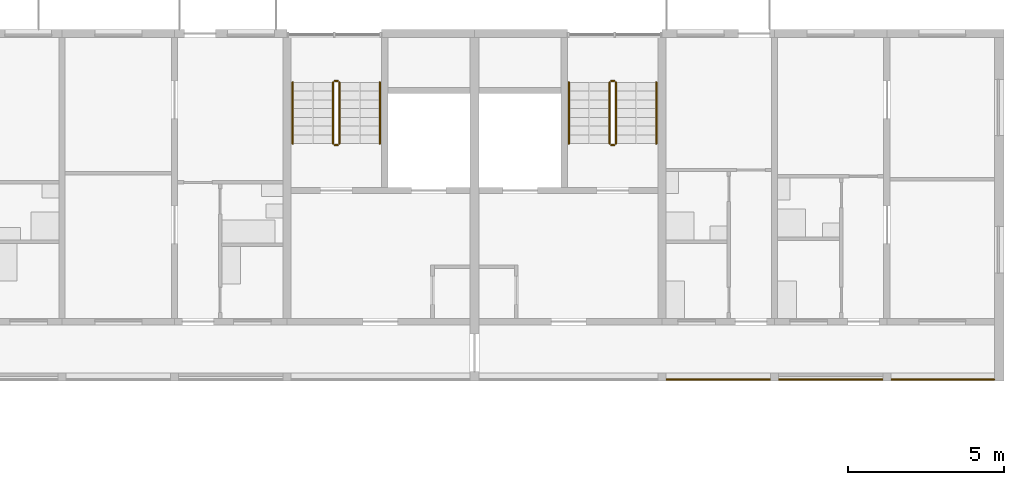
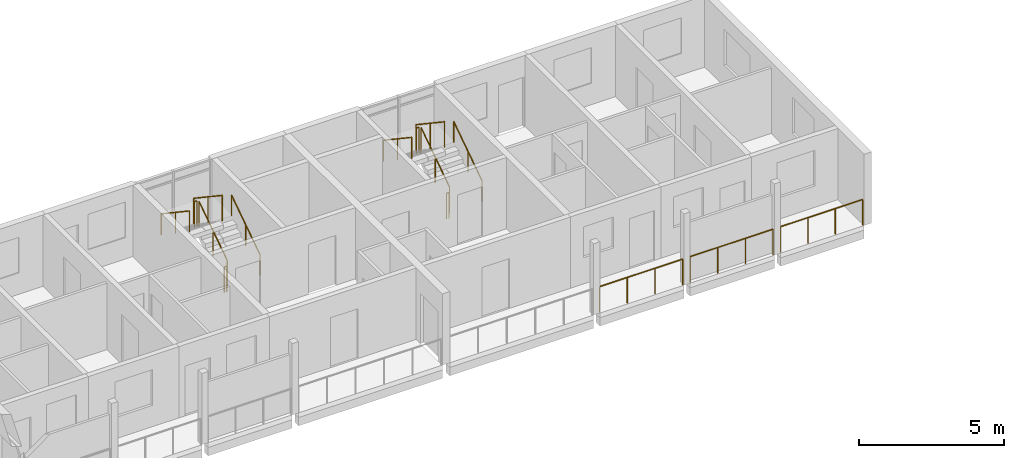
# One storey, part 89 of 93: 15 railings.
"""IFC4 building model written with IfcOpenShell, lengths in metres."""

from ifc_helpers import new_model, si_unit, direction, frame, origin, origin_2d, place, context, subcontext, project, spatial, circle, extrude, material, type_object, element, save


model = new_model("IFC4")

# Units and contexts
model_context = context("Model", 3, precision=1e-05, world=origin(), true_north=direction((0.0, 1.0)))
body_context = subcontext(model_context, "Body", "Model", "MODEL_VIEW")
ifc_project = project(units=[si_unit("LENGTHUNIT", "METRE"), si_unit("AREAUNIT", "SQUARE_METRE"), si_unit("VOLUMEUNIT", "CUBIC_METRE"), si_unit("PLANEANGLEUNIT", "RADIAN"), si_unit("MASSUNIT", "GRAM", prefix="KILO")], contexts=[model_context])

# Site, building, storey
site_placement = place(None, origin())
site = spatial("IfcSite", under=ifc_project, at=site_placement, CompositionType="ELEMENT")
building_placement = place(site_placement, origin())
building = spatial("IfcBuilding", under=site, at=building_placement, Name="Ridgestep Commons", CompositionType="ELEMENT")
storey_placement = place(building_placement, frame((0.0, 0.0, 18.0)))
storey = spatial("IfcBuildingStorey", under=building, at=storey_placement, Name="L06", CompositionType="ELEMENT", Elevation=18.0)

# Railings
ifc_material_1 = material(Name="Structural steel S355JR", Category="steel")
railing_type_1 = type_object("IfcRailingType", Name="Guard 1100", PredefinedType="GUARDRAIL", material=ifc_material_1)
railing_1_placement = place(storey_placement, frame((236.946044921875, 66.050048828125, 0.0)))
element("IfcRailing", 1, at=railing_1_placement, inside=storey, type_object=railing_type_1, Name="Gallery guard C 06.22", PredefinedType="GUARDRAIL", context=body_context, shape_type="SweptSolid", body=[
    extrude(circle(Radius=0.02392578125, at=origin_2d()), frame((0.0, 0.0, 1.076171875), z_axis=(1.0, 0.0, 0.0), x_axis=(0.0, 1.0, 0.0)), (0.0, 0.0, 1.0), 3.307861328125),
    extrude(circle(Radius=0.02099609375, at=origin_2d()), origin(), (0.0, 0.0, 1.0), 1.052001953125),
    extrude(circle(Radius=0.02099609375, at=origin_2d()), frame((1.1025390625, 0.0, 0.0)), (0.0, 0.0, 1.0), 1.052001953125),
    extrude(circle(Radius=0.02099609375, at=origin_2d()), frame((2.205322265625, 0.0, 0.0)), (0.0, 0.0, 1.0), 1.052001953125),
    extrude(circle(Radius=0.02099609375, at=origin_2d()), frame((3.307861328125, 0.0, 0.0)), (0.0, 0.0, 1.0), 1.052001953125),
])
railing_2_placement = place(storey_placement, frame((240.5458984375, 66.050048828125, 0.0)))
element("IfcRailing", 2, at=railing_2_placement, inside=storey, type_object=railing_type_1, Name="Gallery guard C 06.23", PredefinedType="GUARDRAIL", context=body_context, shape_type="SweptSolid", body=[
    extrude(circle(Radius=0.02392578125, at=origin_2d()), frame((0.0, 0.0, 1.076171875), z_axis=(1.0, 0.0, 0.0), x_axis=(0.0, 1.0, 0.0)), (0.0, 0.0, 1.0), 3.30810546875),
    extrude(circle(Radius=0.02099609375, at=origin_2d()), origin(), (0.0, 0.0, 1.0), 1.052001953125),
    extrude(circle(Radius=0.02099609375, at=origin_2d()), frame((1.102783203125, 0.0, 0.0)), (0.0, 0.0, 1.0), 1.052001953125),
    extrude(circle(Radius=0.02099609375, at=origin_2d()), frame((2.205322265625, 0.0, 0.0)), (0.0, 0.0, 1.0), 1.052001953125),
    extrude(circle(Radius=0.02099609375, at=origin_2d()), frame((3.30810546875, 0.0, 0.0)), (0.0, 0.0, 1.0), 1.052001953125),
])
railing_3_placement = place(storey_placement, frame((244.14599609375, 66.050048828125, 0.0)))
element("IfcRailing", 3, at=railing_3_placement, inside=storey, type_object=railing_type_1, Name="Gallery guard C 06.24", PredefinedType="GUARDRAIL", context=body_context, shape_type="SweptSolid", body=[
    extrude(circle(Radius=0.02392578125, at=origin_2d()), frame((0.0, 0.0, 1.076171875), z_axis=(1.0, 0.0, 0.0), x_axis=(0.0, 1.0, 0.0)), (0.0, 0.0, 1.0), 3.282958984375),
    extrude(circle(Radius=0.02099609375, at=origin_2d()), origin(), (0.0, 0.0, 1.0), 1.052001953125),
    extrude(circle(Radius=0.02099609375, at=origin_2d()), frame((1.09423828125, 0.0, 0.0)), (0.0, 0.0, 1.0), 1.052001953125),
    extrude(circle(Radius=0.02099609375, at=origin_2d()), frame((2.188720703125, 0.0, 0.0)), (0.0, 0.0, 1.0), 1.052001953125),
    extrude(circle(Radius=0.02099609375, at=origin_2d()), frame((3.282958984375, 0.0, 0.0)), (0.0, 0.0, 1.0), 1.052001953125),
])
ifc_material_2 = material(Name="Structural steel S355JR", Category="steel")
railing_type_2 = type_object("IfcRailingType", Name="Stair guard 1100", PredefinedType="GUARDRAIL", material=ifc_material_2)
railing_4_placement = place(storey_placement, frame((226.47509765625, 73.60009765625, 0.1875)))
element("IfcRailing", 4, at=railing_4_placement, inside=storey, type_object=railing_type_2, Name="L06 C5C stair guard 1", PredefinedType="GUARDRAIL", context=body_context, shape_type="SweptSolid", body=[
    extrude(circle(Radius=0.02392578125, at=origin_2d()), frame((0.0, 0.0, 1.076171875), z_axis=(0.0, 0.830902050051, 0.556418712142), x_axis=(-1.0, 0.0, 0.0)), (0.0, 0.0, 1.0), 2.35888671875),
    extrude(circle(Radius=0.02099609375, at=origin_2d()), origin(), (0.0, 0.0, 1.0), 1.052001953125),
    extrude(circle(Radius=0.02099609375, at=origin_2d()), frame((0.0, 0.97998046875, 0.65625)), (0.0, 0.0, 1.0), 1.052001953125),
    extrude(circle(Radius=0.02099609375, at=origin_2d()), frame((0.0, 1.9599609375, 1.3125)), (0.0, 0.0, 1.0), 1.052001953125),
])
railing_5_placement = place(storey_placement, frame((226.425048828125, 75.610107421875, 1.5)))
element("IfcRailing", 5, at=railing_5_placement, inside=storey, type_object=railing_type_2, Name="L06 C5C stair guard 2", PredefinedType="GUARDRAIL", context=body_context, shape_type="SweptSolid", body=[
    extrude(circle(Radius=0.02392578125, at=origin_2d()), frame((0.0, 0.0, 1.076171875), z_axis=(-1.0, 0.0, 0.0), x_axis=(0.0, -1.0, 0.0)), (0.0, 0.0, 1.0), 0.10009765625),
    extrude(circle(Radius=0.02099609375, at=origin_2d()), origin(), (0.0, 0.0, 1.0), 1.052001953125),
    extrude(circle(Radius=0.02099609375, at=origin_2d()), frame((-0.10009765625, 0.0, 0.0)), (0.0, 0.0, 1.0), 1.052001953125),
])
railing_6_placement = place(storey_placement, frame((226.27490234375, 75.56005859375, 1.6875)))
element("IfcRailing", 6, at=railing_6_placement, inside=storey, type_object=railing_type_2, Name="L06 C5C stair guard 3", PredefinedType="GUARDRAIL", context=body_context, shape_type="SweptSolid", body=[
    extrude(circle(Radius=0.02392578125, at=origin_2d()), frame((0.0, 0.0, 1.076171875), z_axis=(0.0, -0.830902050051, 0.556418712142), x_axis=(1.0, 0.0, 0.0)), (0.0, 0.0, 1.0), 2.35888671875),
    extrude(circle(Radius=0.02099609375, at=origin_2d()), origin(), (0.0, 0.0, 1.0), 1.052001953125),
    extrude(circle(Radius=0.02099609375, at=origin_2d()), frame((0.0, -0.97998046875, 0.65625)), (0.0, 0.0, 1.0), 1.052001953125),
    extrude(circle(Radius=0.02099609375, at=origin_2d()), frame((0.0, -1.9599609375, 1.3125)), (0.0, 0.0, 1.0), 1.052001953125),
])
railing_7_placement = place(storey_placement, frame((226.425048828125, 73.550048828125, 0.0)))
element("IfcRailing", 7, at=railing_7_placement, inside=storey, type_object=railing_type_2, Name="L06 C5C stair guard 4", PredefinedType="GUARDRAIL", context=body_context, shape_type="SweptSolid", body=[
    extrude(circle(Radius=0.02392578125, at=origin_2d()), frame((0.0, 0.0, 1.076171875), z_axis=(-1.0, 0.0, 0.0), x_axis=(0.0, -1.0, 0.0)), (0.0, 0.0, 1.0), 0.10009765625),
    extrude(circle(Radius=0.02099609375, at=origin_2d()), origin(), (0.0, 0.0, 1.0), 1.052001953125),
    extrude(circle(Radius=0.02099609375, at=origin_2d()), frame((-0.10009765625, 0.0, 0.0)), (0.0, 0.0, 1.0), 1.052001953125),
])
railing_8_placement = place(storey_placement, frame((235.324951171875, 73.60009765625, 0.1875)))
element("IfcRailing", 8, at=railing_8_placement, inside=storey, type_object=railing_type_2, Name="L06 C6C stair guard 1", PredefinedType="GUARDRAIL", context=body_context, shape_type="SweptSolid", body=[
    extrude(circle(Radius=0.02392578125, at=origin_2d()), frame((0.0, 0.0, 1.076171875), z_axis=(0.0, 0.830902050051, 0.556418712142), x_axis=(-1.0, 0.0, 0.0)), (0.0, 0.0, 1.0), 2.35888671875),
    extrude(circle(Radius=0.02099609375, at=origin_2d()), origin(), (0.0, 0.0, 1.0), 1.052001953125),
    extrude(circle(Radius=0.02099609375, at=origin_2d()), frame((0.0, 0.97998046875, 0.65625)), (0.0, 0.0, 1.0), 1.052001953125),
    extrude(circle(Radius=0.02099609375, at=origin_2d()), frame((0.0, 1.9599609375, 1.3125)), (0.0, 0.0, 1.0), 1.052001953125),
])
railing_9_placement = place(storey_placement, frame((235.27490234375, 75.610107421875, 1.5)))
element("IfcRailing", 9, at=railing_9_placement, inside=storey, type_object=railing_type_2, Name="L06 C6C stair guard 2", PredefinedType="GUARDRAIL", context=body_context, shape_type="SweptSolid", body=[
    extrude(circle(Radius=0.02392578125, at=origin_2d()), frame((0.0, 0.0, 1.076171875), z_axis=(-1.0, 0.0, 0.0), x_axis=(0.0, -1.0, 0.0)), (0.0, 0.0, 1.0), 0.099853515625),
    extrude(circle(Radius=0.02099609375, at=origin_2d()), origin(), (0.0, 0.0, 1.0), 1.052001953125),
    extrude(circle(Radius=0.02099609375, at=origin_2d()), frame((-0.099853515625, 0.0, 0.0)), (0.0, 0.0, 1.0), 1.052001953125),
])
railing_10_placement = place(storey_placement, frame((235.125, 75.56005859375, 1.6875)))
element("IfcRailing", 10, at=railing_10_placement, inside=storey, type_object=railing_type_2, Name="L06 C6C stair guard 3", PredefinedType="GUARDRAIL", context=body_context, shape_type="SweptSolid", body=[
    extrude(circle(Radius=0.02392578125, at=origin_2d()), frame((0.0, 0.0, 1.076171875), z_axis=(0.0, -0.830902050051, 0.556418712142), x_axis=(1.0, 0.0, 0.0)), (0.0, 0.0, 1.0), 2.35888671875),
    extrude(circle(Radius=0.02099609375, at=origin_2d()), origin(), (0.0, 0.0, 1.0), 1.052001953125),
    extrude(circle(Radius=0.02099609375, at=origin_2d()), frame((0.0, -0.97998046875, 0.65625)), (0.0, 0.0, 1.0), 1.052001953125),
    extrude(circle(Radius=0.02099609375, at=origin_2d()), frame((0.0, -1.9599609375, 1.3125)), (0.0, 0.0, 1.0), 1.052001953125),
])
railing_11_placement = place(storey_placement, frame((235.27490234375, 73.550048828125, 0.0)))
element("IfcRailing", 11, at=railing_11_placement, inside=storey, type_object=railing_type_2, Name="L06 C6C stair guard 4", PredefinedType="GUARDRAIL", context=body_context, shape_type="SweptSolid", body=[
    extrude(circle(Radius=0.02392578125, at=origin_2d()), frame((0.0, 0.0, 1.076171875), z_axis=(-1.0, 0.0, 0.0), x_axis=(0.0, -1.0, 0.0)), (0.0, 0.0, 1.0), 0.099853515625),
    extrude(circle(Radius=0.02099609375, at=origin_2d()), origin(), (0.0, 0.0, 1.0), 1.052001953125),
    extrude(circle(Radius=0.02099609375, at=origin_2d()), frame((-0.099853515625, 0.0, 0.0)), (0.0, 0.0, 1.0), 1.052001953125),
])
ifc_material_3 = material(Name="Structural steel S355JR", Category="steel")
railing_type_3 = type_object("IfcRailingType", Name="Stair handrail 900", PredefinedType="HANDRAIL", material=ifc_material_3)
railing_12_placement = place(storey_placement, frame((227.77490234375, 73.60009765625, 0.1875)))
element("IfcRailing", 12, at=railing_12_placement, inside=storey, type_object=railing_type_3, Name="L06 C5C stair handrail 1", PredefinedType="HANDRAIL", context=body_context, shape_type="SweptSolid", body=[
    extrude(circle(Radius=0.02392578125, at=origin_2d()), frame((0.0, 0.0, 0.8759765625), z_axis=(0.0, 0.830902050051, 0.556418712142), x_axis=(-1.0, 0.0, 0.0)), (0.0, 0.0, 1.0), 2.35888671875),
    extrude(circle(Radius=0.02099609375, at=origin_2d()), origin(), (0.0, 0.0, 1.0), 0.851806640625),
    extrude(circle(Radius=0.02099609375, at=origin_2d()), frame((0.0, 0.97998046875, 0.65625)), (0.0, 0.0, 1.0), 0.851806640625),
    extrude(circle(Radius=0.02099609375, at=origin_2d()), frame((0.0, 1.9599609375, 1.3125)), (0.0, 0.0, 1.0), 0.851806640625),
])
railing_13_placement = place(storey_placement, frame((224.97509765625, 75.56005859375, 1.6875)))
element("IfcRailing", 13, at=railing_13_placement, inside=storey, type_object=railing_type_3, Name="L06 C5C stair handrail 2", PredefinedType="HANDRAIL", context=body_context, shape_type="SweptSolid", body=[
    extrude(circle(Radius=0.02392578125, at=origin_2d()), frame((0.0, 0.0, 0.8759765625), z_axis=(0.0, -0.830902050051, 0.556418712142), x_axis=(1.0, 0.0, 0.0)), (0.0, 0.0, 1.0), 2.35888671875),
    extrude(circle(Radius=0.02099609375, at=origin_2d()), origin(), (0.0, 0.0, 1.0), 0.851806640625),
    extrude(circle(Radius=0.02099609375, at=origin_2d()), frame((0.0, -0.97998046875, 0.65625)), (0.0, 0.0, 1.0), 0.851806640625),
    extrude(circle(Radius=0.02099609375, at=origin_2d()), frame((0.0, -1.9599609375, 1.3125)), (0.0, 0.0, 1.0), 0.851806640625),
])
railing_14_placement = place(storey_placement, frame((236.625, 73.60009765625, 0.1875)))
element("IfcRailing", 14, at=railing_14_placement, inside=storey, type_object=railing_type_3, Name="L06 C6C stair handrail 1", PredefinedType="HANDRAIL", context=body_context, shape_type="SweptSolid", body=[
    extrude(circle(Radius=0.02392578125, at=origin_2d()), frame((0.0, 0.0, 0.8759765625), z_axis=(0.0, 0.830902050051, 0.556418712142), x_axis=(-1.0, 0.0, 0.0)), (0.0, 0.0, 1.0), 2.35888671875),
    extrude(circle(Radius=0.02099609375, at=origin_2d()), origin(), (0.0, 0.0, 1.0), 0.851806640625),
    extrude(circle(Radius=0.02099609375, at=origin_2d()), frame((0.0, 0.97998046875, 0.65625)), (0.0, 0.0, 1.0), 0.851806640625),
    extrude(circle(Radius=0.02099609375, at=origin_2d()), frame((0.0, 1.9599609375, 1.3125)), (0.0, 0.0, 1.0), 0.851806640625),
])
railing_15_placement = place(storey_placement, frame((233.824951171875, 75.56005859375, 1.6875)))
element("IfcRailing", 15, at=railing_15_placement, inside=storey, type_object=railing_type_3, Name="L06 C6C stair handrail 2", PredefinedType="HANDRAIL", context=body_context, shape_type="SweptSolid", body=[
    extrude(circle(Radius=0.02392578125, at=origin_2d()), frame((0.0, 0.0, 0.8759765625), z_axis=(0.0, -0.830902050051, 0.556418712142), x_axis=(1.0, 0.0, 0.0)), (0.0, 0.0, 1.0), 2.35888671875),
    extrude(circle(Radius=0.02099609375, at=origin_2d()), origin(), (0.0, 0.0, 1.0), 0.851806640625),
    extrude(circle(Radius=0.02099609375, at=origin_2d()), frame((0.0, -0.97998046875, 0.65625)), (0.0, 0.0, 1.0), 0.851806640625),
    extrude(circle(Radius=0.02099609375, at=origin_2d()), frame((0.0, -1.9599609375, 1.3125)), (0.0, 0.0, 1.0), 0.851806640625),
])

save(model, "model.ifc")
